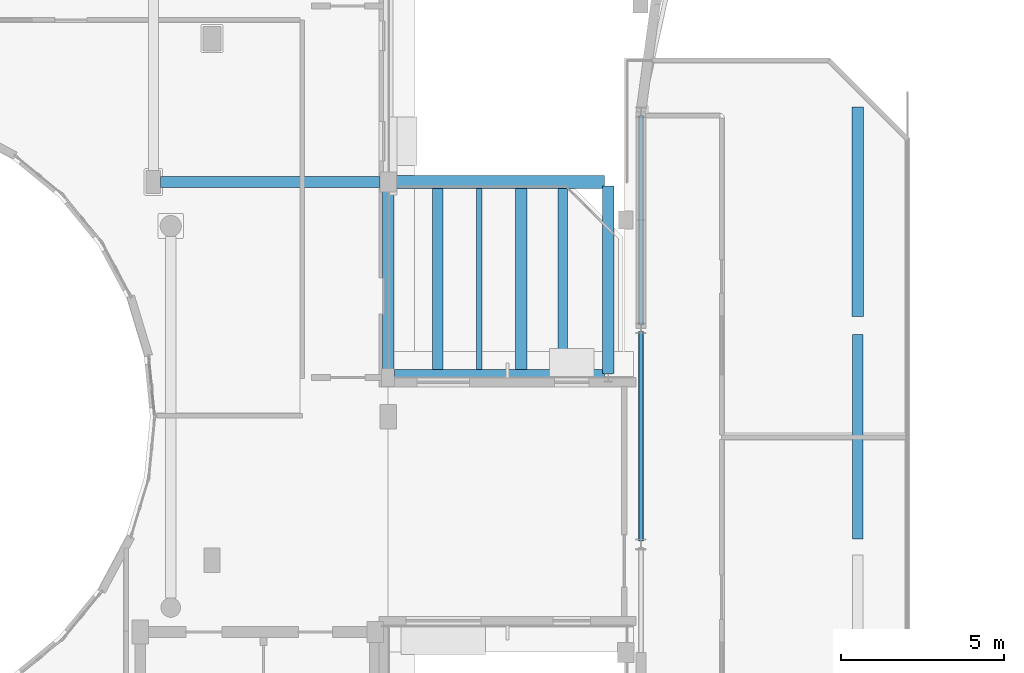
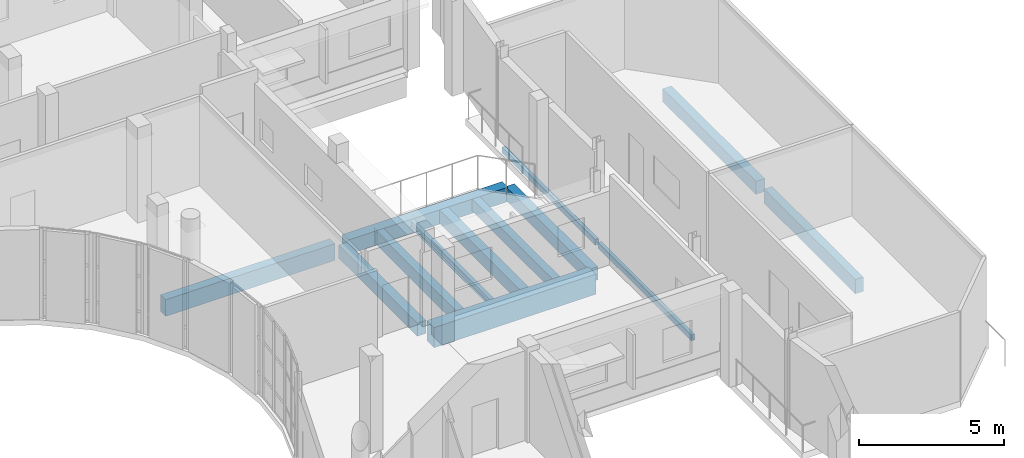
# One storey, part 41 of 92: 13 beams.
"""IFC4 building model written with IfcOpenShell, lengths in metres."""

from ifc_helpers import new_model, si_unit, direction, frame, origin, origin_2d, place, context, subcontext, project, spatial, rectangle, hollow_rectangle, i_section, extrude, material, material_profile, profile_set, type_object, element, save


model = new_model("IFC4")

# Units and contexts
model_context = context("Model", 3, precision=1e-05, world=origin(), true_north=direction((0.0, 1.0)))
body_context = subcontext(model_context, "Body", "Model", "MODEL_VIEW")
ifc_project = project(units=[si_unit("LENGTHUNIT", "METRE"), si_unit("AREAUNIT", "SQUARE_METRE"), si_unit("VOLUMEUNIT", "CUBIC_METRE"), si_unit("PLANEANGLEUNIT", "RADIAN"), si_unit("MASSUNIT", "GRAM", prefix="KILO")], contexts=[model_context])

# Site, building, storey
site_placement = place(None, origin())
site = spatial("IfcSite", under=ifc_project, at=site_placement, CompositionType="ELEMENT")
building_placement = place(site_placement, origin())
building = spatial("IfcBuilding", under=site, at=building_placement, Name="Kelanivale Promenade Academy", CompositionType="ELEMENT")
storey_placement = place(building_placement, frame((0.0, 0.0, 8.199951171875)))
storey = spatial("IfcBuildingStorey", under=building, at=storey_placement, Name="L02", CompositionType="ELEMENT", Elevation=8.199951171875)

# Beams
ifc_material_1 = material(Name="Concrete C35/45", Category="concrete")
ifc_material_profile_1 = material_profile(ifc_material_1, rectangle(XDim=0.5, YDim=0.85009765625, at=origin_2d()), Name="RC-BM 500x850")
ifc_profile_set_1 = profile_set([ifc_material_profile_1], Name="Concrete C35/45")
beam_type_1 = type_object("IfcBeamType", Name="BM-07 RC-BM 500x850", PredefinedType="BEAM", material=ifc_profile_set_1)
beam_1_placement = place(storey_placement, frame((115.794921875, 58.0, -0.64501953125), z_axis=(1.0, 0.0, 0.0), x_axis=(0.0, 1.0, 0.0)))
element("IfcBeam", 1, at=beam_1_placement, inside=storey, type_object=beam_type_1, Name="L02 girder BM-07", PredefinedType="BEAM", context=body_context, shape_type="SweptSolid", body=[
    extrude(rectangle(XDim=0.5, YDim=0.85009765625, at=origin_2d()), origin(), (0.0, 0.0, 1.0), 6.43310546875),
])
ifc_material_profile_2 = material_profile(ifc_material_1, rectangle(XDim=0.35009765625, YDim=0.699951171875, at=origin_2d()), Name="RC-BM 350x700")
ifc_profile_set_2 = profile_set([ifc_material_profile_2], Name="Concrete C35/45")
beam_type_2 = type_object("IfcBeamType", Name="BM-11 RC-BM 350x700", PredefinedType="BEAM", material=ifc_profile_set_2)
beam_2_placement = place(storey_placement, frame((108.6201171875, 64.0, -0.570068359375), z_axis=(1.0, 0.0, 0.0), x_axis=(0.0, 1.0, 0.0)))
element("IfcBeam", 2, at=beam_2_placement, inside=storey, type_object=beam_type_2, Name="L02 girder BM-11", PredefinedType="BEAM", context=body_context, shape_type="SweptSolid", body=[
    extrude(rectangle(XDim=0.35009765625, YDim=0.699951171875, at=origin_2d()), origin(), (0.0, 0.0, 1.0), 6.73486328125),
])
ifc_material_profile_3 = material_profile(ifc_material_1, rectangle(XDim=0.39990234375, YDim=0.60009765625, at=origin_2d()), Name="RC-BM 400x600")
ifc_profile_set_3 = profile_set([ifc_material_profile_3], Name="Concrete C35/45")
beam_type_3 = type_object("IfcBeamType", Name="BM-12 RC-BM 400x600", PredefinedType="BEAM", material=ifc_profile_set_3)
beam_3_placement = place(storey_placement, frame((115.844970703125, 64.0, -0.534912109375), z_axis=(1.0, 0.0, 0.0), x_axis=(0.0, 1.0, 0.0)))
element("IfcBeam", 3, at=beam_3_placement, inside=storey, type_object=beam_type_3, Name="L02 girder BM-12", PredefinedType="BEAM", context=body_context, shape_type="SweptSolid", body=[
    extrude(rectangle(XDim=0.39990234375, YDim=0.60009765625, at=origin_2d()), origin(), (0.0, 0.0, 1.0), 6.383056640625),
])
ifc_material_profile_4 = material_profile(ifc_material_1, rectangle(XDim=0.300048828125, YDim=0.5, at=origin_2d()), Name="RC-BM 300x500")
ifc_profile_set_4 = profile_set([ifc_material_profile_4], Name="Concrete C35/45")
beam_type_4 = type_object("IfcBeamType", Name="JS-01 RC-BM 300x500", PredefinedType="JOIST", material=ifc_profile_set_4)
beam_4_placement = place(storey_placement, frame((120.950927734375, 58.25, -0.48486328125), z_axis=(0.0, 1.0, 0.0), x_axis=(-1.0, 0.0, 0.0)))
element("IfcBeam", 4, at=beam_4_placement, inside=storey, type_object=beam_type_4, Name="L02 secondary sub-beam JS-01", PredefinedType="JOIST", context=body_context, shape_type="SweptSolid", body=[
    extrude(rectangle(XDim=0.300048828125, YDim=0.5, at=origin_2d()), origin(), (0.0, 0.0, 1.0), 5.550048828125),
])
ifc_material_profile_5 = material_profile(ifc_material_1, rectangle(XDim=0.320068359375, YDim=0.550048828125, at=origin_2d()), Name="RC-BM 320x550")
ifc_profile_set_5 = profile_set([ifc_material_profile_5], Name="Concrete C35/45")
beam_type_5 = type_object("IfcBeamType", Name="JS-04 RC-BM 320x550", PredefinedType="JOIST", material=ifc_profile_set_5)
beam_5_placement = place(storey_placement, frame((117.1220703125, 58.25, -0.510009765625), z_axis=(0.0, 1.0, 0.0), x_axis=(-1.0, 0.0, 0.0)))
element("IfcBeam", 5, at=beam_5_placement, inside=storey, type_object=beam_type_5, Name="L02 secondary sub-beam JS-04", PredefinedType="JOIST", context=body_context, shape_type="SweptSolid", body=[
    extrude(rectangle(XDim=0.320068359375, YDim=0.550048828125, at=origin_2d()), origin(), (0.0, 0.0, 1.0), 5.550048828125),
])
ifc_material_profile_6 = material_profile(ifc_material_1, rectangle(XDim=0.320068359375, YDim=0.60009765625, at=origin_2d()), Name="RC-BM 320x600")
ifc_profile_set_6 = profile_set([ifc_material_profile_6], Name="Concrete C35/45")
beam_type_6 = type_object("IfcBeamType", Name="JS-05 RC-BM 320x600", PredefinedType="JOIST", material=ifc_profile_set_6)
beam_6_placement = place(storey_placement, frame((130.0, 53.044921875, -0.56494140625), z_axis=(0.0, 1.0, 0.0), x_axis=(-1.0, 0.0, 0.0)))
element("IfcBeam", 6, at=beam_6_placement, inside=storey, type_object=beam_type_6, Name="L02 beam JS-05", PredefinedType="JOIST", context=body_context, shape_type="SweptSolid", body=[
    extrude(rectangle(XDim=0.320068359375, YDim=0.60009765625, at=origin_2d()), origin(), (0.0, 0.0, 1.0), 6.28515625),
])
ifc_material_profile_7 = material_profile(ifc_material_1, rectangle(XDim=0.35009765625, YDim=0.550048828125, at=origin_2d()), Name="RC-BM 350x550")
ifc_profile_set_7 = profile_set([ifc_material_profile_7], Name="Concrete C35/45")
beam_type_7 = type_object("IfcBeamType", Name="JS-06 RC-BM 350x550", PredefinedType="JOIST", material=ifc_profile_set_7)
beam_7_placement = place(storey_placement, frame((115.60009765625, 58.27001953125, -0.494873046875), z_axis=(0.0, 1.0, 0.0), x_axis=(-1.0, 0.0, 0.0)))
element("IfcBeam", 7, at=beam_7_placement, inside=storey, type_object=beam_type_7, Name="L02 beam JS-06", PredefinedType="JOIST", context=body_context, shape_type="SweptSolid", body=[
    extrude(rectangle(XDim=0.35009765625, YDim=0.550048828125, at=origin_2d()), origin(), (0.0, 0.0, 1.0), 5.43505859375),
])
beam_8_placement = place(storey_placement, frame((122.35009765625, 58.1220703125, -0.510009765625), z_axis=(0.0, 1.0, 0.0), x_axis=(-1.0, 0.0, 0.0)))
element("IfcBeam", 8, at=beam_8_placement, inside=storey, type_object=beam_type_7, Name="L02 beam JS-06", PredefinedType="JOIST", context=body_context, shape_type="SweptSolid", body=[
    extrude(rectangle(XDim=0.35009765625, YDim=0.550048828125, at=origin_2d()), origin(), (0.0, 0.0, 1.0), 5.755859375),
])
beam_9_placement = place(storey_placement, frame((130.0, 59.8701171875, -0.5400390625), z_axis=(0.0, 1.0, 0.0), x_axis=(-1.0, 0.0, 0.0)))
element("IfcBeam", 9, at=beam_9_placement, inside=storey, type_object=beam_type_7, Name="L02 beam JS-06", PredefinedType="JOIST", context=body_context, shape_type="SweptSolid", body=[
    extrude(rectangle(XDim=0.35009765625, YDim=0.550048828125, at=origin_2d()), origin(), (0.0, 0.0, 1.0), 6.434814453125),
])
beam_10_placement = place(storey_placement, frame((119.675048828125, 58.25, -0.510009765625), z_axis=(0.0, 1.0, 0.0), x_axis=(-1.0, 0.0, 0.0)))
element("IfcBeam", 10, at=beam_10_placement, inside=storey, type_object=beam_type_7, Name="L02 secondary sub-beam JS-06", PredefinedType="JOIST", context=body_context, shape_type="SweptSolid", body=[
    extrude(rectangle(XDim=0.35009765625, YDim=0.550048828125, at=origin_2d()), origin(), (0.0, 0.0, 1.0), 5.550048828125),
])
ifc_material_2 = material(Name="Steel S355", Category="steel")
ifc_material_profile_8 = material_profile(ifc_material_2, i_section(OverallWidth=0.1650390625, OverallDepth=0.303466796875, WebThickness=0.006103515625, FlangeThickness=0.01025390625, FilletRadius=0.0087890625, at=origin_2d()), Name="UB 305x165x40")
ifc_profile_set_8 = profile_set([ifc_material_profile_8], Name="Steel S355")
beam_type_8 = type_object("IfcBeamType", Name="SB-03 UB 305x165x40", PredefinedType="BEAM", material=ifc_profile_set_8)
beam_11_placement = place(storey_placement, frame((118.39794921875, 58.25, -0.386962890625), z_axis=(0.0, 1.0, 0.0), x_axis=(-1.0, 0.0, 0.0)))
element("IfcBeam", 11, at=beam_11_placement, inside=storey, type_object=beam_type_8, Name="L02 secondary sub-beam SB-03", PredefinedType="BEAM", context=body_context, shape_type="SweptSolid", body=[
    extrude(i_section(OverallWidth=0.1650390625, OverallDepth=0.303466796875, WebThickness=0.006103515625, FlangeThickness=0.01025390625, FilletRadius=0.0087890625, at=origin_2d()), origin(), (0.0, 0.0, 1.0), 5.550048828125),
])
ifc_material_profile_9 = material_profile(ifc_material_2, hollow_rectangle(XDim=0.14990234375, YDim=0.25, WallThickness=0.010009765625, InnerFilletRadius=0.010009765625, OuterFilletRadius=0.02001953125, at=origin_2d()), Name="RHS 250x150x10.0")
ifc_profile_set_9 = profile_set([ifc_material_profile_9], Name="Steel S355")
beam_type_9 = type_object("IfcBeamType", Name="SB-13 RHS 250x150x10.0", PredefinedType="SPANDREL", material=ifc_profile_set_9)
beam_12_placement = place(storey_placement, frame((123.35009765625, 52.986083984375, -0.389892578125), z_axis=(0.0, 1.0, 0.0), x_axis=(-1.0, 0.0, 0.0)))
element("IfcBeam", 12, at=beam_12_placement, inside=storey, type_object=beam_type_9, Name="Assembly Hall Arc Pavilion inner kidney ring beam SB-13", PredefinedType="SPANDREL", context=body_context, shape_type="SweptSolid", body=[
    extrude(hollow_rectangle(XDim=0.14990234375, YDim=0.25, WallThickness=0.010009765625, InnerFilletRadius=0.010009765625, OuterFilletRadius=0.02001953125, at=origin_2d()), origin(), (0.0, 0.0, 1.0), 6.427978515625),
])
beam_13_placement = place(storey_placement, frame((123.35009765625, 59.614013671875, -0.389892578125), z_axis=(0.0, 1.0, 0.0), x_axis=(-1.0, 0.0, 0.0)))
element("IfcBeam", 13, at=beam_13_placement, inside=storey, type_object=beam_type_9, Name="Assembly Hall Arc Pavilion inner kidney ring beam SB-13", PredefinedType="SPANDREL", context=body_context, shape_type="SweptSolid", body=[
    extrude(hollow_rectangle(XDim=0.14990234375, YDim=0.25, WallThickness=0.010009765625, InnerFilletRadius=0.010009765625, OuterFilletRadius=0.02001953125, at=origin_2d()), origin(), (0.0, 0.0, 1.0), 6.428955078125),
])

save(model, "model.ifc")
